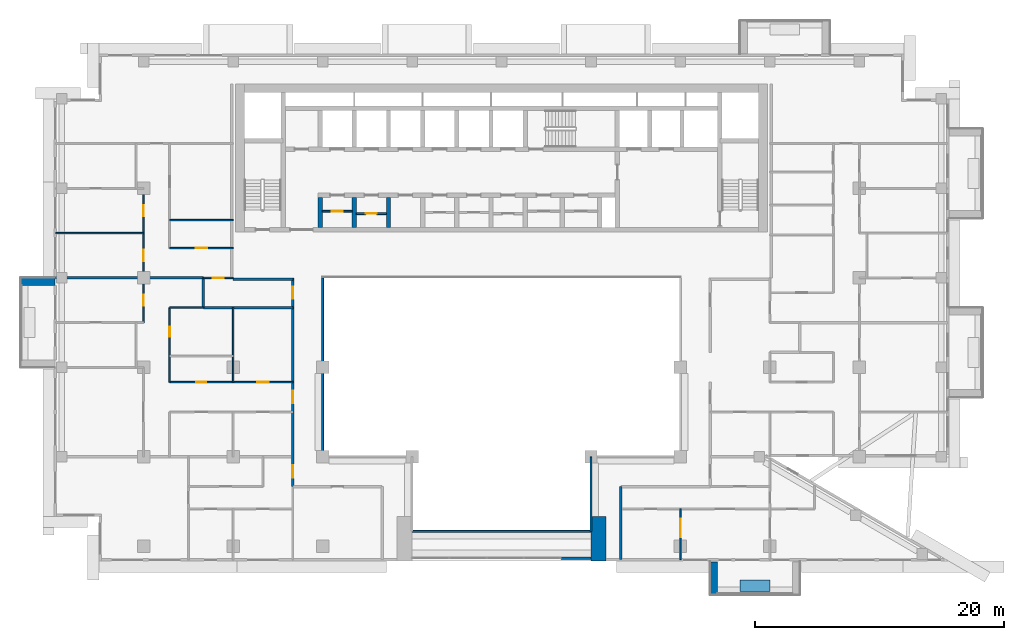
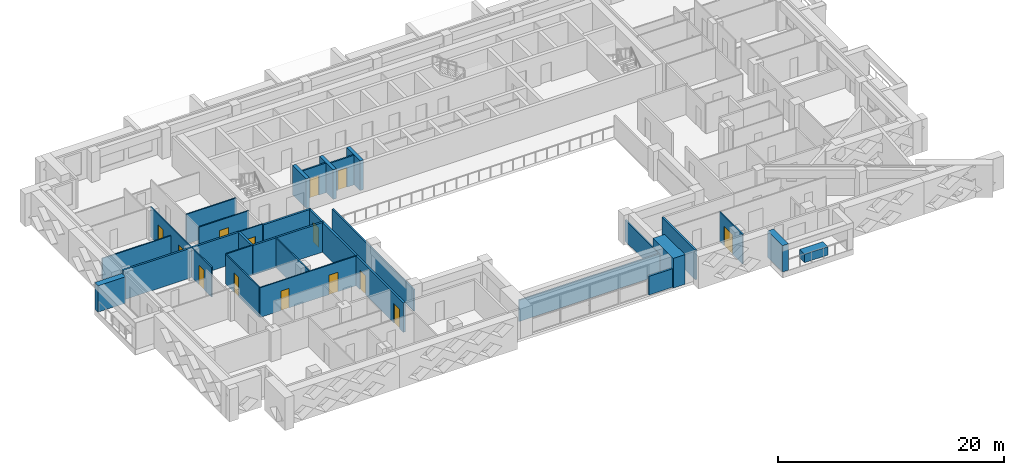
# One storey, part 7 of 20: 29 walls, 14 doors, 14 openings.
"""IFC4 building model written with IfcOpenShell, lengths in metres."""

from ifc_helpers import new_model, si_unit, direction, frame, frame_2d, origin, place, context, subcontext, project, spatial, rectangle, extrude, material, layer, layer_set, type_object, element, fill, save


model = new_model("IFC4")

# Units and contexts
model_context = context("Model", 3, precision=1e-05, world=origin(), true_north=direction((0.0, 1.0)))
body_context = subcontext(model_context, "Body", "Model", "MODEL_VIEW")
ifc_project = project(units=[si_unit("LENGTHUNIT", "METRE"), si_unit("AREAUNIT", "SQUARE_METRE"), si_unit("VOLUMEUNIT", "CUBIC_METRE"), si_unit("PLANEANGLEUNIT", "RADIAN"), si_unit("MASSUNIT", "GRAM", prefix="KILO")], contexts=[model_context])

# Site, building, storey
site_placement = place(None, origin())
site = spatial("IfcSite", under=ifc_project, at=site_placement, CompositionType="ELEMENT")
building_placement = place(site_placement, origin())
building = spatial("IfcBuilding", under=site, at=building_placement, Name="Saffron Iwan Residences", CompositionType="ELEMENT")
storey_placement = place(building_placement, frame((0.0, 0.0, 143.0)))
storey = spatial("IfcBuildingStorey", under=building, at=storey_placement, Name="L37", CompositionType="ELEMENT", Elevation=143.0)

# Walls
ifc_material_1 = material(Name="Fire-rated glazing", Category="glass")
ifc_layer_1 = layer(ifc_material_1, 0.14990234375)
ifc_layer_set_1 = layer_set([ifc_layer_1], Name="Fire-rated glazing")
wall_type_1 = type_object("IfcWallType", Name="Atrium glazed screen 150", PredefinedType="SOLIDWALL", material=ifc_layer_set_1)
wall_1_placement = place(storey_placement, frame((43.199951171875, 42.0, 0.0), z_axis=(0.0, 0.0, 1.0), x_axis=(1.0, 0.0, 0.0)))
element("IfcWall", 1, at=wall_1_placement, inside=storey, type_object=wall_type_1, Name="W-L37-SCREEN-h42-43.2", PredefinedType="SOLIDWALL", context=body_context, shape_type="SweptSolid", body=[
    extrude(rectangle(XDim=14.400146484375, YDim=0.14990234375, at=frame_2d((7.2001953125, 0.0))), origin(), (0.0, 0.0, 1.0), 2.300048828125),
])
wall_2_placement = place(storey_placement, frame((36.0, 48.0, 0.0), z_axis=(0.0, 0.0, 1.0), x_axis=(0.0, 1.0, 0.0)))
element("IfcWall", 2, at=wall_2_placement, inside=storey, type_object=wall_type_1, Name="W-L37-SCREEN-v36-48", PredefinedType="SOLIDWALL", context=body_context, shape_type="SweptSolid", body=[
    extrude(rectangle(XDim=14.39990234375, YDim=0.14990234375, at=frame_2d((7.199951171875, 0.0))), origin(), (0.0, 0.0, 1.0), 2.300048828125),
])
wall_3_placement = place(storey_placement, frame((57.60009765625, 42.0, 0.0), z_axis=(0.0, 0.0, 1.0), x_axis=(0.0, 1.0, 0.0)))
element("IfcWall", 3, at=wall_3_placement, inside=storey, type_object=wall_type_1, Name="W-L37-SCREEN-v57.6-42", PredefinedType="SOLIDWALL", context=body_context, shape_type="SweptSolid", body=[
    extrude(rectangle(XDim=6.0, YDim=0.14990234375, at=frame_2d((3.0, 0.0))), origin(), (0.0, 0.0, 1.0), 2.300048828125),
])
ifc_material_2 = material(Name="Concrete C50/60 white painted", Category="concrete")
ifc_layer_2 = layer(ifc_material_2, 0.60009765625)
ifc_layer_set_2 = layer_set([ifc_layer_2], Name="Concrete C50/60 white painted")
wall_type_2 = type_object("IfcWallType", Name="BALCONY FIN 600", PredefinedType="SOLIDWALL", material=ifc_layer_set_2)
wall_4_placement = place(storey_placement, frame((14.47509765625, 62.10009765625, 0.0), z_axis=(0.0, 0.0, 1.0), x_axis=(-1.0, 0.0, 0.0)))
element("IfcWall", 4, at=wall_4_placement, inside=storey, type_object=wall_type_2, Name="Balcony fin L37 F8-0a", PredefinedType="SOLIDWALL", context=body_context, shape_type="SweptSolid", body=[
    extrude(rectangle(XDim=2.775146484375, YDim=0.60009765625, at=frame_2d((1.3876953125, 0.0))), origin(), (0.0, 0.0, 1.0), 2.85009765625),
])
wall_5_placement = place(storey_placement, frame((67.5, 39.550048828125, 0.0), z_axis=(0.0, 0.0, 1.0), x_axis=(0.0, -1.0, 0.0)))
element("IfcWall", 5, at=wall_5_placement, inside=storey, type_object=wall_type_2, Name="Balcony fin L37 11-1a", PredefinedType="SOLIDWALL", context=body_context, shape_type="SweptSolid", body=[
    extrude(rectangle(XDim=2.650146484375, YDim=0.60009765625, at=frame_2d((1.3251953125, 0.0))), origin(), (0.0, 0.0, 1.0), 2.85009765625),
])
ifc_material_3 = material(Name="Concrete C35/45 white painted", Category="concrete")
ifc_layer_3 = layer(ifc_material_3, 0.14990234375)
ifc_layer_set_3 = layer_set([ifc_layer_3], Name="Concrete C35/45 white painted")
wall_type_3 = type_object("IfcWallType", Name="BALCONY PLANTER", PredefinedType="SOLIDWALL", material=ifc_layer_set_3)
wall_6_placement = place(storey_placement, frame((69.60009765625, 37.625, 0.0), z_axis=(0.0, 0.0, 1.0), x_axis=(1.0, 0.0, 0.0)))
element("IfcWall", 6, at=wall_6_placement, inside=storey, type_object=wall_type_3, Name="PLANTER L37 11-1", PredefinedType="SOLIDWALL", context=body_context, shape_type="SweptSolid", body=[
    extrude(rectangle(XDim=2.39990234375, YDim=0.89990234375, at=frame_2d((1.199951171875, 0.0))), origin(), (0.0, 0.0, 1.0), 0.89990234375),
])

# Wall, opening, door
ifc_material_4 = material(Name="Fire-rated plasterboard partition")
ifc_layer_4 = layer(ifc_material_4, 0.14990234375)
ifc_layer_set_4 = layer_set([ifc_layer_4], Name="Fire-rated plasterboard partition")
wall_type_4 = type_object("IfcWallType", Name="Core partition 150", PredefinedType="PARTITIONING", material=ifc_layer_set_4)
wall_7_placement = place(storey_placement, frame((35.97509765625, 67.759521484375, 0.0), z_axis=(0.0, 0.0, 1.0), x_axis=(1.0, 0.0, 0.0)))
wall_7 = element("IfcWall", 7, at=wall_7_placement, inside=storey, type_object=wall_type_4, Name="Core partition P01", PredefinedType="PARTITIONING", context=body_context, shape_type="SweptSolid", body=[
    extrude(rectangle(XDim=2.39990234375, YDim=0.14990234375, at=frame_2d((1.199951171875, 0.0))), origin(), (0.0, 0.0, 1.0), 3.199951171875),
])
opening_1_placement = place(wall_7_placement, frame((0.75, 0.0, 0.0)))
opening_1 = element("IfcOpeningElement", 8, at=opening_1_placement, cuts=wall_7, Name="Opening SB", PredefinedType="OPENING", context=body_context, shape_type="SweptSolid", body=[
    extrude(rectangle(XDim=0.89990234375, YDim=2.10009765625, at=frame_2d((0.449951171875, 1.050048828125))), frame((0.0, 0.0849609375, 0.0), z_axis=(0.0, -1.0, 0.0), x_axis=(1.0, 0.0, 0.0)), (0.0, 0.0, 1.0), 0.169921875),
])
ifc_material_5 = material(Name="Steel fire door", Category="steel")
door_type_1 = type_object("IfcDoorType", Name="Store door 900", OperationType="NOTDEFINED", PredefinedType="DOOR", material=ifc_material_5)
door_1_placement = place(opening_1_placement, origin())
door_1 = element("IfcDoor", 9, at=door_1_placement, inside=storey, type_object=door_type_1, Name="Door Stationery store", OperationType="SINGLE_SWING_LEFT", OverallHeight=2.10009765625, OverallWidth=0.89990234375, PredefinedType="DOOR", context=body_context, shape_type="SweptSolid", body=[
    extrude(rectangle(XDim=0.89990234375, YDim=2.10009765625, at=frame_2d((0.449951171875, 1.050048828125))), frame((0.0, 0.02490234375, 0.0), z_axis=(0.0, -1.0, 0.0), x_axis=(1.0, 0.0, 0.0)), (0.0, 0.0, 1.0), 0.050048828125),
])
fill(opening_1, door_1)

wall_8_placement = place(storey_placement, frame((38.72509765625, 67.5654296875, 0.0), z_axis=(0.0, 0.0, 1.0), x_axis=(1.0, 0.0, 0.0)))
wall_8 = element("IfcWall", 10, at=wall_8_placement, inside=storey, type_object=wall_type_4, Name="Core partition P02", PredefinedType="PARTITIONING", context=body_context, shape_type="SweptSolid", body=[
    extrude(rectangle(XDim=2.39990234375, YDim=0.14990234375, at=frame_2d((1.199951171875, 0.0))), origin(), (0.0, 0.0, 1.0), 3.199951171875),
])
opening_2_placement = place(wall_8_placement, frame((0.75, 0.0, 0.0)))
opening_2 = element("IfcOpeningElement", 11, at=opening_2_placement, cuts=wall_8, Name="Opening SB", PredefinedType="OPENING", context=body_context, shape_type="SweptSolid", body=[
    extrude(rectangle(XDim=0.89990234375, YDim=2.10009765625, at=frame_2d((0.449951171875, 1.050048828125))), frame((0.0, 0.0849609375, 0.0), z_axis=(0.0, -1.0, 0.0), x_axis=(1.0, 0.0, 0.0)), (0.0, 0.0, 1.0), 0.169921875),
])
door_2_placement = place(opening_2_placement, origin())
door_2 = element("IfcDoor", 12, at=door_2_placement, inside=storey, type_object=door_type_1, Name="Door Tool store", OperationType="SINGLE_SWING_LEFT", OverallHeight=2.10009765625, OverallWidth=0.89990234375, PredefinedType="DOOR", context=body_context, shape_type="SweptSolid", body=[
    extrude(rectangle(XDim=0.89990234375, YDim=2.10009765625, at=frame_2d((0.449951171875, 1.050048828125))), frame((0.0, 0.02490234375, 0.0), z_axis=(0.0, -1.0, 0.0), x_axis=(1.0, 0.0, 0.0)), (0.0, 0.0, 1.0), 0.050048828125),
])
fill(opening_2, door_2)

# Walls
ifc_material_6 = material(Name="Concrete C40/50", Category="concrete")
ifc_layer_5 = layer(ifc_material_6, 0.199951171875)
ifc_layer_set_5 = layer_set([ifc_layer_5], Name="Concrete C40/50")
wall_type_5 = type_object("IfcWallType", Name="EXTERNAL WALL 200", PredefinedType="SOLIDWALL", material=ifc_layer_set_5)
wall_9_placement = place(storey_placement, frame((55.199951171875, 39.85009765625, 0.0), z_axis=(0.0, 0.0, 1.0), x_axis=(1.0, 0.0, 0.0)))
element("IfcWall", 13, at=wall_9_placement, inside=storey, type_object=wall_type_5, Name="External wall infill CWB-L37-0", PredefinedType="SOLIDWALL", context=body_context, shape_type="SweptSolid", body=[
    extrude(rectangle(XDim=2.400146484375, YDim=0.199951171875, at=frame_2d((1.2001953125, 0.0))), origin(), (0.0, 0.0, 1.0), 2.0),
])
ifc_material_7 = material(Name="Fire-rated gypsum board wall")
ifc_layer_6 = layer(ifc_material_7, 0.199951171875)
ifc_layer_set_6 = layer_set([ifc_layer_6], Name="Fire-rated gypsum board wall")
wall_type_6 = type_object("IfcWallType", Name="Flat demising wall 200", PredefinedType="SOLIDWALL", material=ifc_layer_set_6)
wall_10_placement = place(storey_placement, frame((26.39990234375, 60.0, 0.0), z_axis=(0.0, 0.0, 1.0), x_axis=(1.0, 0.0, 0.0)))
element("IfcWall", 14, at=wall_10_placement, inside=storey, type_object=wall_type_6, Name="W-L37-DEMISE-h60-26.4", PredefinedType="SOLIDWALL", context=body_context, shape_type="SweptSolid", body=[
    extrude(rectangle(XDim=7.2001953125, YDim=0.199951171875, at=frame_2d((3.60009765625, 0.0))), origin(), (0.0, 0.0, 1.0), 3.199951171875),
])
wall_11_placement = place(storey_placement, frame((14.52490234375, 62.39990234375, 0.0), z_axis=(0.0, 0.0, 1.0), x_axis=(1.0, 0.0, 0.0)))
element("IfcWall", 15, at=wall_11_placement, inside=storey, type_object=wall_type_6, Name="W-L37-DEMISE-h62.4-14.525", PredefinedType="SOLIDWALL", context=body_context, shape_type="SweptSolid", body=[
    extrude(rectangle(XDim=11.875, YDim=0.199951171875, at=frame_2d((5.9375, 0.0))), origin(), (0.0, 0.0, 1.0), 3.199951171875),
])
wall_12_placement = place(storey_placement, frame((26.39990234375, 60.0, 0.0), z_axis=(0.0, 0.0, 1.0), x_axis=(0.0, 1.0, 0.0)))
element("IfcWall", 16, at=wall_12_placement, inside=storey, type_object=wall_type_6, Name="W-L37-DEMISE-v26.4-60", PredefinedType="SOLIDWALL", context=body_context, shape_type="SweptSolid", body=[
    extrude(rectangle(XDim=2.39990234375, YDim=0.199951171875, at=frame_2d((1.199951171875, 0.0))), origin(), (0.0, 0.0, 1.0), 3.199951171875),
])

# Wall, openings, doors
ifc_material_8 = material(Name="Gypsum board partition")
ifc_layer_7 = layer(ifc_material_8, 0.1201171875)
ifc_layer_set_7 = layer_set([ifc_layer_7], Name="Gypsum board partition")
wall_type_7 = type_object("IfcWallType", Name="Flat partition 120", PredefinedType="PARTITIONING", material=ifc_layer_set_7)
wall_13_placement = place(storey_placement, frame((23.699951171875, 54.0, 0.0), z_axis=(0.0, 0.0, 1.0), x_axis=(1.0, 0.0, 0.0)))
wall_13 = element("IfcWall", 17, at=wall_13_placement, inside=storey, type_object=wall_type_7, Name="W-L37-PART-h54-23.7", PredefinedType="PARTITIONING", context=body_context, shape_type="SweptSolid", body=[
    extrude(rectangle(XDim=9.900146484375, YDim=0.1201171875, at=frame_2d((4.9501953125, 0.0))), origin(), (0.0, 0.0, 1.0), 3.199951171875),
])
opening_3_placement = place(wall_13_placement, frame((2.14990234375, 0.0, 0.0)))
opening_3 = element("IfcOpeningElement", 18, at=opening_3_placement, cuts=wall_13, Name="Opening FD3", PredefinedType="OPENING", context=body_context, shape_type="SweptSolid", body=[
    extrude(rectangle(XDim=0.800048828125, YDim=2.10009765625, at=frame_2d((0.39990234375, 1.050048828125))), frame((0.0, 0.070068359375, 0.0), z_axis=(0.0, -1.0, 0.0), x_axis=(1.0, 0.0, 0.0)), (0.0, 0.0, 1.0), 0.14013671875),
])
opening_4_placement = place(wall_13_placement, frame((7.050048828125, 0.0, 0.0)))
opening_4 = element("IfcOpeningElement", 19, at=opening_4_placement, cuts=wall_13, Name="Opening FD2", PredefinedType="OPENING", context=body_context, shape_type="SweptSolid", body=[
    extrude(rectangle(XDim=0.89990234375, YDim=2.10009765625, at=frame_2d((0.449951171875, 1.050048828125))), frame((0.0, 0.070068359375, 0.0), z_axis=(0.0, -1.0, 0.0), x_axis=(1.0, 0.0, 0.0)), (0.0, 0.0, 1.0), 0.14013671875),
])
ifc_material_9 = material(Name="Timber door", Category="wood")
door_type_2 = type_object("IfcDoorType", Name="Bathroom door 800", OperationType="NOTDEFINED", PredefinedType="DOOR", material=ifc_material_9)
door_3_placement = place(opening_3_placement, origin())
door_3 = element("IfcDoor", 20, at=door_3_placement, inside=storey, type_object=door_type_2, Name="Door L37-012", OperationType="SINGLE_SWING_RIGHT", OverallHeight=2.10009765625, OverallWidth=0.800048828125, PredefinedType="DOOR", context=body_context, shape_type="SweptSolid", body=[
    extrude(rectangle(XDim=0.800048828125, YDim=2.10009765625, at=frame_2d((0.39990234375, 1.050048828125))), frame((0.0, 0.02490234375, 0.0), z_axis=(0.0, -1.0, 0.0), x_axis=(1.0, 0.0, 0.0)), (0.0, 0.0, 1.0), 0.050048828125),
])
fill(opening_3, door_3)
door_type_3 = type_object("IfcDoorType", Name="Flat door 900", OperationType="NOTDEFINED", PredefinedType="DOOR", material=ifc_material_9)
door_4_placement = place(opening_4_placement, origin())
door_4 = element("IfcDoor", 21, at=door_4_placement, inside=storey, type_object=door_type_3, Name="Door L37-015", OperationType="SINGLE_SWING_RIGHT", OverallHeight=2.10009765625, OverallWidth=0.89990234375, PredefinedType="DOOR", context=body_context, shape_type="SweptSolid", body=[
    extrude(rectangle(XDim=0.89990234375, YDim=2.10009765625, at=frame_2d((0.449951171875, 1.050048828125))), frame((0.0, 0.02490234375, 0.0), z_axis=(0.0, -1.0, 0.0), x_axis=(1.0, 0.0, 0.0)), (0.0, 0.0, 1.0), 0.050048828125),
])
fill(opening_4, door_4)

# Wall
wall_14_placement = place(storey_placement, frame((23.699951171875, 60.0, 0.0), z_axis=(0.0, 0.0, 1.0), x_axis=(1.0, 0.0, 0.0)))
element("IfcWall", 22, at=wall_14_placement, inside=storey, type_object=wall_type_7, Name="W-L37-PART-h60-23.7", PredefinedType="PARTITIONING", context=body_context, shape_type="SweptSolid", body=[
    extrude(rectangle(XDim=2.699951171875, YDim=0.1201171875, at=frame_2d((1.35009765625, 0.0))), origin(), (0.0, 0.0, 1.0), 3.199951171875),
])

# Wall, opening, door
wall_15_placement = place(storey_placement, frame((26.39990234375, 62.39990234375, 0.0), z_axis=(0.0, 0.0, 1.0), x_axis=(1.0, 0.0, 0.0)))
wall_15 = element("IfcWall", 23, at=wall_15_placement, inside=storey, type_object=wall_type_7, Name="W-L37-PART-h62.4-26.4", PredefinedType="PARTITIONING", context=body_context, shape_type="SweptSolid", body=[
    extrude(rectangle(XDim=2.400146484375, YDim=0.1201171875, at=frame_2d((1.2001953125, 0.0))), origin(), (0.0, 0.0, 1.0), 3.199951171875),
])
opening_5_placement = place(wall_15_placement, frame((0.75, 0.0, 0.0)))
opening_5 = element("IfcOpeningElement", 24, at=opening_5_placement, cuts=wall_15, Name="Opening FD2", PredefinedType="OPENING", context=body_context, shape_type="SweptSolid", body=[
    extrude(rectangle(XDim=0.89990234375, YDim=2.10009765625, at=frame_2d((0.449951171875, 1.050048828125))), frame((0.0, 0.070068359375, 0.0), z_axis=(0.0, -1.0, 0.0), x_axis=(1.0, 0.0, 0.0)), (0.0, 0.0, 1.0), 0.14013671875),
])
door_5_placement = place(opening_5_placement, origin())
door_5 = element("IfcDoor", 25, at=door_5_placement, inside=storey, type_object=door_type_3, Name="Door L37-022", OperationType="SINGLE_SWING_LEFT", OverallHeight=2.10009765625, OverallWidth=0.89990234375, PredefinedType="DOOR", context=body_context, shape_type="SweptSolid", body=[
    extrude(rectangle(XDim=0.89990234375, YDim=2.10009765625, at=frame_2d((0.449951171875, 1.050048828125))), frame((0.0, 0.02490234375, 0.0), z_axis=(0.0, -1.0, 0.0), x_axis=(1.0, 0.0, 0.0)), (0.0, 0.0, 1.0), 0.050048828125),
])
fill(opening_5, door_5)

wall_16_placement = place(storey_placement, frame((23.699951171875, 64.800048828125, 0.0), z_axis=(0.0, 0.0, 1.0), x_axis=(1.0, 0.0, 0.0)))
wall_16 = element("IfcWall", 26, at=wall_16_placement, inside=storey, type_object=wall_type_7, Name="W-L37-PART-h64.8-23.7", PredefinedType="PARTITIONING", context=body_context, shape_type="SweptSolid", body=[
    extrude(rectangle(XDim=5.10009765625, YDim=0.1201171875, at=frame_2d((2.550048828125, 0.0))), origin(), (0.0, 0.0, 1.0), 3.199951171875),
])
opening_6_placement = place(wall_16_placement, frame((2.10009765625, 0.0, 0.0)))
opening_6 = element("IfcOpeningElement", 27, at=opening_6_placement, cuts=wall_16, Name="Opening FD2", PredefinedType="OPENING", context=body_context, shape_type="SweptSolid", body=[
    extrude(rectangle(XDim=0.89990234375, YDim=2.10009765625, at=frame_2d((0.449951171875, 1.050048828125))), frame((0.0, 0.070068359375, 0.0), z_axis=(0.0, -1.0, 0.0), x_axis=(1.0, 0.0, 0.0)), (0.0, 0.0, 1.0), 0.14013671875),
])
door_6_placement = place(opening_6_placement, origin())
door_6 = element("IfcDoor", 28, at=door_6_placement, inside=storey, type_object=door_type_3, Name="Door L37-028", OperationType="SINGLE_SWING_LEFT", OverallHeight=2.10009765625, OverallWidth=0.89990234375, PredefinedType="DOOR", context=body_context, shape_type="SweptSolid", body=[
    extrude(rectangle(XDim=0.89990234375, YDim=2.10009765625, at=frame_2d((0.449951171875, 1.050048828125))), frame((0.0, 0.02490234375, 0.0), z_axis=(0.0, -1.0, 0.0), x_axis=(1.0, 0.0, 0.0)), (0.0, 0.0, 1.0), 0.050048828125),
])
fill(opening_6, door_6)

# Walls
wall_17_placement = place(storey_placement, frame((14.52490234375, 66.0, 0.0), z_axis=(0.0, 0.0, 1.0), x_axis=(1.0, 0.0, 0.0)))
element("IfcWall", 29, at=wall_17_placement, inside=storey, type_object=wall_type_7, Name="W-L37-PART-h66-14.525", PredefinedType="PARTITIONING", context=body_context, shape_type="SweptSolid", body=[
    extrude(rectangle(XDim=7.0751953125, YDim=0.1201171875, at=frame_2d((3.53759765625, 0.0))), origin(), (0.0, 0.0, 1.0), 2.300048828125),
])
wall_18_placement = place(storey_placement, frame((23.699951171875, 67.050048828125, 0.0), z_axis=(0.0, 0.0, 1.0), x_axis=(1.0, 0.0, 0.0)))
element("IfcWall", 30, at=wall_18_placement, inside=storey, type_object=wall_type_7, Name="W-L37-PART-h67.05-23.7", PredefinedType="PARTITIONING", context=body_context, shape_type="SweptSolid", body=[
    extrude(rectangle(XDim=5.10009765625, YDim=0.1201171875, at=frame_2d((2.550048828125, 0.0))), origin(), (0.0, 0.0, 1.0), 3.199951171875),
])

# Wall, openings, doors
wall_19_placement = place(storey_placement, frame((21.60009765625, 58.800048828125, 0.0), z_axis=(0.0, 0.0, 1.0), x_axis=(0.0, 1.0, 0.0)))
wall_19 = element("IfcWall", 31, at=wall_19_placement, inside=storey, type_object=wall_type_7, Name="W-L37-PART-v21.6-58.8", PredefinedType="PARTITIONING", context=body_context, shape_type="SweptSolid", body=[
    extrude(rectangle(XDim=10.800048828125, YDim=0.1201171875, at=frame_2d((5.39990234375, 0.0))), origin(), (0.0, 0.0, 1.0), 3.199951171875),
])
opening_7_placement = place(wall_19_placement, frame((1.35009765625, 0.0, 0.0)))
opening_7 = element("IfcOpeningElement", 32, at=opening_7_placement, cuts=wall_19, Name="Opening FD2", PredefinedType="OPENING", context=body_context, shape_type="SweptSolid", body=[
    extrude(rectangle(XDim=0.89990234375, YDim=2.10009765625, at=frame_2d((0.449951171875, 1.050048828125))), frame((0.0, 0.070068359375, 0.0), z_axis=(0.0, -1.0, 0.0), x_axis=(1.0, 0.0, 0.0)), (0.0, 0.0, 1.0), 0.14013671875),
])
opening_8_placement = place(wall_19_placement, frame((4.949951171875, 0.0, 0.0)))
opening_8 = element("IfcOpeningElement", 33, at=opening_8_placement, cuts=wall_19, Name="Opening FD2", PredefinedType="OPENING", context=body_context, shape_type="SweptSolid", body=[
    extrude(rectangle(XDim=0.89990234375, YDim=2.10009765625, at=frame_2d((0.449951171875, 1.050048828125))), frame((0.0, 0.070068359375, 0.0), z_axis=(0.0, -1.0, 0.0), x_axis=(1.0, 0.0, 0.0)), (0.0, 0.0, 1.0), 0.14013671875),
])
opening_9_placement = place(wall_19_placement, frame((8.550048828125, 0.0, 0.0)))
opening_9 = element("IfcOpeningElement", 34, at=opening_9_placement, cuts=wall_19, Name="Opening FD2", PredefinedType="OPENING", context=body_context, shape_type="SweptSolid", body=[
    extrude(rectangle(XDim=0.89990234375, YDim=2.10009765625, at=frame_2d((0.449951171875, 1.050048828125))), frame((0.0, 0.070068359375, 0.0), z_axis=(0.0, -1.0, 0.0), x_axis=(1.0, 0.0, 0.0)), (0.0, 0.0, 1.0), 0.14013671875),
])
door_7_placement = place(opening_7_placement, origin())
door_7 = element("IfcDoor", 35, at=door_7_placement, inside=storey, type_object=door_type_3, Name="Door L37-009", OperationType="SINGLE_SWING_RIGHT", OverallHeight=2.10009765625, OverallWidth=0.89990234375, PredefinedType="DOOR", context=body_context, shape_type="SweptSolid", body=[
    extrude(rectangle(XDim=0.89990234375, YDim=2.10009765625, at=frame_2d((0.449951171875, 1.050048828125))), frame((0.0, 0.02490234375, 0.0), z_axis=(0.0, -1.0, 0.0), x_axis=(1.0, 0.0, 0.0)), (0.0, 0.0, 1.0), 0.050048828125),
])
fill(opening_7, door_7)
door_8_placement = place(opening_8_placement, origin())
door_8 = element("IfcDoor", 36, at=door_8_placement, inside=storey, type_object=door_type_3, Name="Door L37-024", OperationType="SINGLE_SWING_RIGHT", OverallHeight=2.10009765625, OverallWidth=0.89990234375, PredefinedType="DOOR", context=body_context, shape_type="SweptSolid", body=[
    extrude(rectangle(XDim=0.89990234375, YDim=2.10009765625, at=frame_2d((0.449951171875, 1.050048828125))), frame((0.0, 0.02490234375, 0.0), z_axis=(0.0, -1.0, 0.0), x_axis=(1.0, 0.0, 0.0)), (0.0, 0.0, 1.0), 0.050048828125),
])
fill(opening_8, door_8)
door_9_placement = place(opening_9_placement, origin())
door_9 = element("IfcDoor", 37, at=door_9_placement, inside=storey, type_object=door_type_3, Name="Door L37-025", OperationType="SINGLE_SWING_LEFT", OverallHeight=2.10009765625, OverallWidth=0.89990234375, PredefinedType="DOOR", context=body_context, shape_type="SweptSolid", body=[
    extrude(rectangle(XDim=0.89990234375, YDim=2.10009765625, at=frame_2d((0.449951171875, 1.050048828125))), frame((0.0, 0.02490234375, 0.0), z_axis=(0.0, -1.0, 0.0), x_axis=(1.0, 0.0, 0.0)), (0.0, 0.0, 1.0), 0.050048828125),
])
fill(opening_9, door_9)

# Wall, opening, door
wall_20_placement = place(storey_placement, frame((23.699951171875, 54.0, 0.0), z_axis=(0.0, 0.0, 1.0), x_axis=(0.0, 1.0, 0.0)))
wall_20 = element("IfcWall", 38, at=wall_20_placement, inside=storey, type_object=wall_type_7, Name="W-L37-PART-v23.7-54", PredefinedType="PARTITIONING", context=body_context, shape_type="SweptSolid", body=[
    extrude(rectangle(XDim=6.0, YDim=0.1201171875, at=frame_2d((3.0, 0.0))), origin(), (0.0, 0.0, 1.0), 3.199951171875),
])
opening_10_placement = place(wall_20_placement, frame((3.64990234375, 0.0, 0.0)))
opening_10 = element("IfcOpeningElement", 39, at=opening_10_placement, cuts=wall_20, Name="Opening FD3", PredefinedType="OPENING", context=body_context, shape_type="SweptSolid", body=[
    extrude(rectangle(XDim=0.800048828125, YDim=2.10009765625, at=frame_2d((0.39990234375, 1.050048828125))), frame((0.0, 0.070068359375, 0.0), z_axis=(0.0, -1.0, 0.0), x_axis=(1.0, 0.0, 0.0)), (0.0, 0.0, 1.0), 0.14013671875),
])
door_10_placement = place(opening_10_placement, origin())
door_10 = element("IfcDoor", 40, at=door_10_placement, inside=storey, type_object=door_type_2, Name="Door L37-013", OperationType="SINGLE_SWING_LEFT", OverallHeight=2.10009765625, OverallWidth=0.800048828125, PredefinedType="DOOR", context=body_context, shape_type="SweptSolid", body=[
    extrude(rectangle(XDim=0.800048828125, YDim=2.10009765625, at=frame_2d((0.39990234375, 1.050048828125))), frame((0.0, 0.02490234375, 0.0), z_axis=(0.0, -1.0, 0.0), x_axis=(1.0, 0.0, 0.0)), (0.0, 0.0, 1.0), 0.050048828125),
])
fill(opening_10, door_10)

# Wall
wall_21_placement = place(storey_placement, frame((28.800048828125, 54.0, 0.0), z_axis=(0.0, 0.0, 1.0), x_axis=(0.0, 1.0, 0.0)))
element("IfcWall", 41, at=wall_21_placement, inside=storey, type_object=wall_type_7, Name="W-L37-PART-v28.8-54", PredefinedType="PARTITIONING", context=body_context, shape_type="SweptSolid", body=[
    extrude(rectangle(XDim=6.0, YDim=0.1201171875, at=frame_2d((3.0, 0.0))), origin(), (0.0, 0.0, 1.0), 3.199951171875),
])

# Wall, opening, door
wall_22_placement = place(storey_placement, frame((64.800048828125, 39.72509765625, 0.0), z_axis=(0.0, 0.0, 1.0), x_axis=(0.0, 1.0, 0.0)))
wall_22 = element("IfcWall", 42, at=wall_22_placement, inside=storey, type_object=wall_type_7, Name="W-L37-PART-v64.8-39.725", PredefinedType="PARTITIONING", context=body_context, shape_type="SweptSolid", body=[
    extrude(rectangle(XDim=4.074951171875, YDim=0.1201171875, at=frame_2d((2.03759765625, 0.0))), origin(), (0.0, 0.0, 1.0), 3.199951171875),
])
opening_11_placement = place(wall_22_placement, frame((1.78759765625, 0.0, 0.0)))
opening_11 = element("IfcOpeningElement", 43, at=opening_11_placement, cuts=wall_22, Name="Opening FD4", PredefinedType="OPENING", context=body_context, shape_type="SweptSolid", body=[
    extrude(rectangle(XDim=1.5, YDim=2.10009765625, at=frame_2d((0.75, 1.050048828125))), frame((0.0, 0.070068359375, 0.0), z_axis=(0.0, -1.0, 0.0), x_axis=(1.0, 0.0, 0.0)), (0.0, 0.0, 1.0), 0.14013671875),
])
door_type_4 = type_object("IfcDoorType", Name="Double door 1500", OperationType="NOTDEFINED", PredefinedType="DOOR", material=ifc_material_9)
door_11_placement = place(opening_11_placement, origin())
door_11 = element("IfcDoor", 44, at=door_11_placement, inside=storey, type_object=door_type_4, Name="Door L37-041", OperationType="SINGLE_SWING_RIGHT", OverallHeight=2.10009765625, OverallWidth=1.5, PredefinedType="DOOR", context=body_context, shape_type="SweptSolid", body=[
    extrude(rectangle(XDim=1.5, YDim=2.10009765625, at=frame_2d((0.75, 1.050048828125))), frame((0.0, 0.02490234375, 0.0), z_axis=(0.0, -1.0, 0.0), x_axis=(1.0, 0.0, 0.0)), (0.0, 0.0, 1.0), 0.050048828125),
])
fill(opening_11, door_11)

# Wall
ifc_layer_8 = layer(ifc_material_7, 0.199951171875)
ifc_layer_set_8 = layer_set([ifc_layer_8], Name="Fire-rated gypsum board wall")
wall_type_8 = type_object("IfcWallType", Name="Gallery wall 200", PredefinedType="SOLIDWALL", material=ifc_layer_set_8)
wall_23_placement = place(storey_placement, frame((28.800048828125, 62.300048828125, 0.0), z_axis=(0.0, 0.0, 1.0), x_axis=(1.0, 0.0, 0.0)))
element("IfcWall", 45, at=wall_23_placement, inside=storey, type_object=wall_type_8, Name="W-L37-CORR-h62.4-28.8", PredefinedType="SOLIDWALL", context=body_context, shape_type="SweptSolid", body=[
    extrude(rectangle(XDim=4.800048828125, YDim=0.199951171875, at=frame_2d((2.39990234375, 0.0))), origin(), (0.0, 0.0, 1.0), 3.199951171875),
])

# Wall, openings, doors
wall_24_placement = place(storey_placement, frame((33.60009765625, 45.60009765625, 0.0), z_axis=(0.0, 0.0, 1.0), x_axis=(0.0, 1.0, 0.0)))
wall_24 = element("IfcWall", 46, at=wall_24_placement, inside=storey, type_object=wall_type_8, Name="W-L37-CORR-v33.6-45.6", PredefinedType="SOLIDWALL", context=body_context, shape_type="SweptSolid", body=[
    extrude(rectangle(XDim=16.7998046875, YDim=0.199951171875, at=frame_2d((8.39990234375, 0.0))), origin(), (0.0, 0.0, 1.0), 3.199951171875),
])
opening_12_placement = place(wall_24_placement, frame((0.699951171875, 0.0, 0.0)))
opening_12 = element("IfcOpeningElement", 47, at=opening_12_placement, cuts=wall_24, Name="Opening FD1", PredefinedType="OPENING", context=body_context, shape_type="SweptSolid", body=[
    extrude(rectangle(XDim=1.0, YDim=2.10009765625, at=frame_2d((0.5, 1.050048828125))), frame((0.0, 0.10986328125, 0.0), z_axis=(0.0, -1.0, 0.0), x_axis=(1.0, 0.0, 0.0)), (0.0, 0.0, 1.0), 0.219970703125),
])
opening_13_placement = place(wall_24_placement, frame((6.699951171875, 0.0, 0.0)))
opening_13 = element("IfcOpeningElement", 48, at=opening_13_placement, cuts=wall_24, Name="Opening FD1", PredefinedType="OPENING", context=body_context, shape_type="SweptSolid", body=[
    extrude(rectangle(XDim=1.0, YDim=2.10009765625, at=frame_2d((0.5, 1.050048828125))), frame((0.0, 0.10986328125, 0.0), z_axis=(0.0, -1.0, 0.0), x_axis=(1.0, 0.0, 0.0)), (0.0, 0.0, 1.0), 0.219970703125),
])
opening_14_placement = place(wall_24_placement, frame((15.10009765625, 0.0, 0.0)))
opening_14 = element("IfcOpeningElement", 49, at=opening_14_placement, cuts=wall_24, Name="Opening FD5", PredefinedType="OPENING", context=body_context, shape_type="SweptSolid", body=[
    extrude(rectangle(XDim=1.0, YDim=2.10009765625, at=frame_2d((0.5, 1.050048828125))), frame((0.0, 0.10986328125, 0.0), z_axis=(0.0, -1.0, 0.0), x_axis=(1.0, 0.0, 0.0)), (0.0, 0.0, 1.0), 0.219970703125),
])
ifc_material_10 = material(Name="Fire-rated timber door", Category="wood")
door_type_5 = type_object("IfcDoorType", Name="FD30S flat entrance door 1000", OperationType="NOTDEFINED", PredefinedType="DOOR", material=ifc_material_10)
door_12_placement = place(opening_12_placement, origin())
door_12 = element("IfcDoor", 50, at=door_12_placement, inside=storey, type_object=door_type_5, Name="Door L37-001", OperationType="SINGLE_SWING_LEFT", OverallHeight=2.10009765625, OverallWidth=1.0, PredefinedType="DOOR", context=body_context, shape_type="SweptSolid", body=[
    extrude(rectangle(XDim=1.0, YDim=2.10009765625, at=frame_2d((0.5, 1.050048828125))), frame((0.0, 0.02490234375, 0.0), z_axis=(0.0, -1.0, 0.0), x_axis=(1.0, 0.0, 0.0)), (0.0, 0.0, 1.0), 0.050048828125),
])
fill(opening_12, door_12)
door_13_placement = place(opening_13_placement, origin())
door_13 = element("IfcDoor", 51, at=door_13_placement, inside=storey, type_object=door_type_5, Name="Door L37-007", OperationType="SINGLE_SWING_LEFT", OverallHeight=2.10009765625, OverallWidth=1.0, PredefinedType="DOOR", context=body_context, shape_type="SweptSolid", body=[
    extrude(rectangle(XDim=1.0, YDim=2.10009765625, at=frame_2d((0.5, 1.050048828125))), frame((0.0, 0.02490234375, 0.0), z_axis=(0.0, -1.0, 0.0), x_axis=(1.0, 0.0, 0.0)), (0.0, 0.0, 1.0), 0.050048828125),
])
fill(opening_13, door_13)
door_type_6 = type_object("IfcDoorType", Name="Lobby door 1000", OperationType="NOTDEFINED", PredefinedType="DOOR", material=ifc_material_10)
door_14_placement = place(opening_14_placement, origin())
door_14 = element("IfcDoor", 52, at=door_14_placement, inside=storey, type_object=door_type_6, Name="Door L37-023", OperationType="SINGLE_SWING_LEFT", OverallHeight=2.10009765625, OverallWidth=1.0, PredefinedType="DOOR", context=body_context, shape_type="SweptSolid", body=[
    extrude(rectangle(XDim=1.0, YDim=2.10009765625, at=frame_2d((0.5, 1.050048828125))), frame((0.0, 0.02490234375, 0.0), z_axis=(0.0, -1.0, 0.0), x_axis=(1.0, 0.0, 0.0)), (0.0, 0.0, 1.0), 0.050048828125),
])
fill(opening_14, door_14)

# Walls
wall_25_placement = place(storey_placement, frame((60.0, 39.72509765625, 0.0), z_axis=(0.0, 0.0, 1.0), x_axis=(0.0, 1.0, 0.0)))
element("IfcWall", 53, at=wall_25_placement, inside=storey, type_object=wall_type_8, Name="W-L37-CORR-v60-39.725", PredefinedType="SOLIDWALL", context=body_context, shape_type="SweptSolid", body=[
    extrude(rectangle(XDim=5.875, YDim=0.199951171875, at=frame_2d((2.9375, 0.0))), origin(), (0.0, 0.0, 1.0), 3.199951171875),
])
ifc_material_11 = material(Name="Concrete C50/60", Category="concrete")
ifc_layer_9 = layer(ifc_material_11, 0.35009765625)
ifc_layer_set_9 = layer_set([ifc_layer_9], Name="Concrete C50/60")
wall_type_9 = type_object("IfcWallType", Name="WALL CORE 350 C50/60 3200 HIGH", PredefinedType="SHEAR", material=ifc_layer_set_9)
for number, where, z_axis, x_axis, name in (
    (54, (35.800048828125, 66.449951171875, 0.0), (0.0, 0.0, 1.0), (0.0, 1.0, 0.0), "Core wall"),
    (55, (38.550048828125, 66.449951171875, 0.0), (0.0, 0.0, 1.0), (0.0, 1.0, 0.0), "Core wall"),
    (56, (41.300048828125, 66.449951171875, 0.0), (0.0, 0.0, 1.0), (0.0, 1.0, 0.0), "Core wall"),
):
    element("IfcWall", number, at=place(storey_placement, frame(where, z_axis=z_axis, x_axis=x_axis)), inside=storey, type_object=wall_type_9, Name=name, PredefinedType="SHEAR", context=body_context, shape_type="SweptSolid", body=[
        extrude(rectangle(XDim=2.425048828125, YDim=0.35009765625, at=frame_2d((1.21240234375, 0.0))), origin(), (0.0, 0.0, 1.0), 3.199951171875),
    ])
ifc_layer_10 = layer(ifc_material_11, 1.199951171875)
ifc_layer_set_10 = layer_set([ifc_layer_10], Name="Concrete C50/60")
wall_type_10 = type_object("IfcWallType", Name="WALL IWAN PIER 1200 C50/60 3200 HIGH", PredefinedType="SHEAR", material=ifc_layer_set_10)
wall_26_placement = place(storey_placement, frame((58.199951171875, 39.60009765625, 0.0), z_axis=(0.0, 0.0, 1.0), x_axis=(0.0, 1.0, 0.0)))
element("IfcWall", 57, at=wall_26_placement, inside=storey, type_object=wall_type_10, Name="IWAN PIER", PredefinedType="SHEAR", context=body_context, shape_type="SweptSolid", body=[
    extrude(rectangle(XDim=3.599853515625, YDim=1.199951171875, at=frame_2d((1.7998046875, 0.0))), origin(), (0.0, 0.0, 1.0), 3.199951171875),
])

save(model, "model.ifc")
